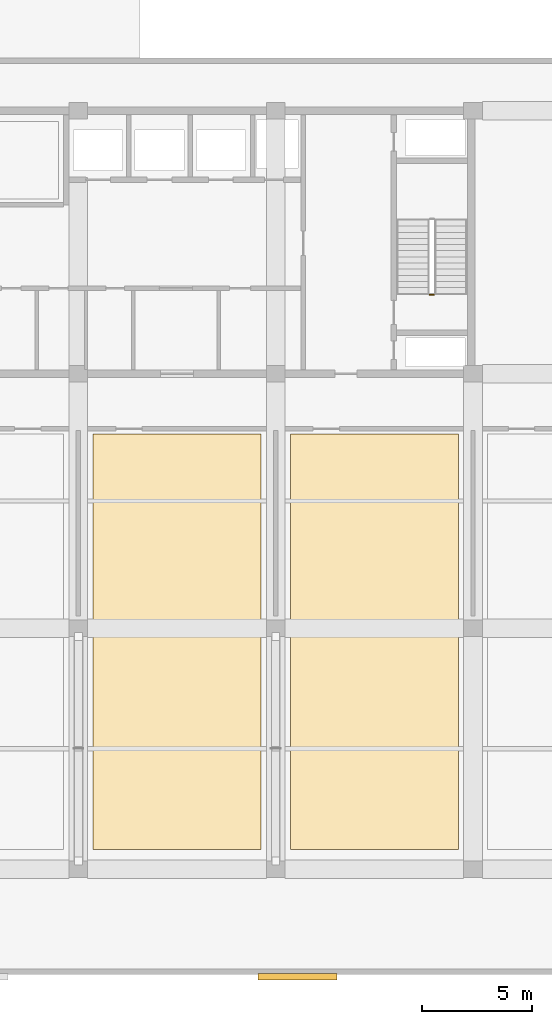
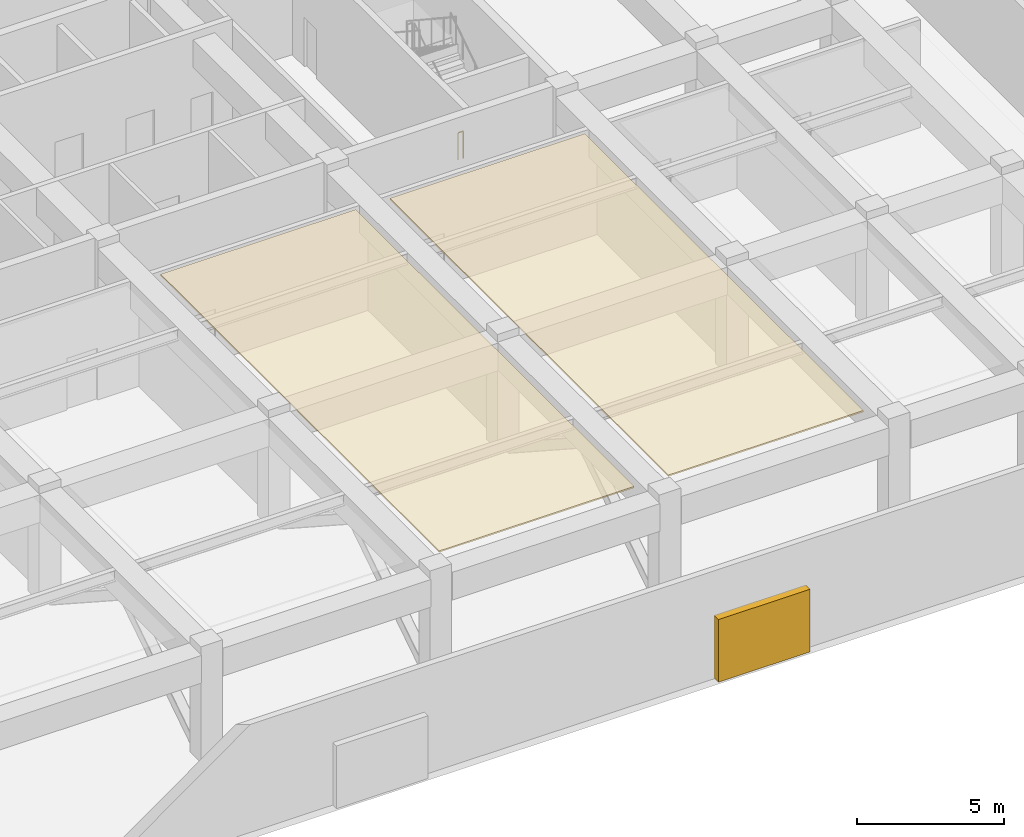
# One storey, part 16 of 22: 2 coverings, 1 railing, 1 shading device.
"""IFC4 building model written with IfcOpenShell, lengths in metres."""

from ifc_helpers import new_model, si_unit, direction, frame, origin, origin_2d, place, context, subcontext, project, spatial, polyline, rectangle, circle, outline, extrude, material, layer, layer_set, type_object, element, save


model = new_model("IFC4")

# Units and contexts
model_context = context("Model", 3, precision=1e-05, world=origin(), true_north=direction((0.0, 1.0)))
body_context = subcontext(model_context, "Body", "Model", "MODEL_VIEW")
ifc_project = project(units=[si_unit("LENGTHUNIT", "METRE"), si_unit("AREAUNIT", "SQUARE_METRE"), si_unit("VOLUMEUNIT", "CUBIC_METRE"), si_unit("PLANEANGLEUNIT", "RADIAN"), si_unit("MASSUNIT", "GRAM", prefix="KILO")], contexts=[model_context])

# Site, building, storey
site_placement = place(None, origin())
site = spatial("IfcSite", under=ifc_project, at=site_placement, CompositionType="ELEMENT")
building_placement = place(site_placement, origin())
building = spatial("IfcBuilding", under=site, at=building_placement, Name="Korimba Cascade Residences", CompositionType="ELEMENT")
storey_placement = place(building_placement, frame((0.0, 0.0, 157.300048828125)))
storey = spatial("IfcBuildingStorey", under=building, at=storey_placement, Name="L45", CompositionType="ELEMENT", Elevation=157.300048828125)

# Coverings
ifc_material_1 = material(Name="Mineral Wool Thermal Acoustic Insulation", Category="insulation")
ifc_layer = layer(ifc_material_1, 0.06005859375)
ifc_layer_set = layer_set([ifc_layer], Name="Mineral Wool Thermal Acoustic Insulation")
covering_type = type_object("IfcCoveringType", Name="COV-INS-60", PredefinedType="INSULATION", material=ifc_layer_set)
covering_1_placement = place(storey_placement, frame((0.0, 0.0, 4.419921875)))
element("IfcCovering", 1, at=covering_1_placement, inside=storey, type_object=covering_type, Name="L45 Mineral Wool Acoustic Soffit Insulation L45-PL24", PredefinedType="INSULATION", context=body_context, shape_type="SweptSolid", body=[
    extrude(outline(polyline([(100.77001953125, -3.300048828125), (108.429931640625, -3.300048828125), (108.429931640625, 15.64990234375), (100.77001953125, 15.64990234375), (100.77001953125, -3.300048828125)])), origin(), (0.0, 0.0, 1.0), 0.06005859375),
])
covering_2_placement = place(storey_placement, frame((0.0, 0.0, 4.419921875)))
element("IfcCovering", 2, at=covering_2_placement, inside=storey, type_object=covering_type, Name="L45 Mineral Wool Acoustic Soffit Insulation L45-PL25", PredefinedType="INSULATION", context=body_context, shape_type="SweptSolid", body=[
    extrude(outline(polyline([(109.77001953125, -3.300048828125), (117.429931640625, -3.300048828125), (117.429931640625, 15.64990234375), (109.77001953125, 15.64990234375), (109.77001953125, -3.300048828125)])), origin(), (0.0, 0.0, 1.0), 0.06005859375),
])

# Railing
ifc_material_2 = material(Name="Painted Steel Stairwell Guardrail", Category="steel")
railing_type = type_object("IfcRailingType", Name="RLG-ST-GD1150", PredefinedType="GUARDRAIL", material=ifc_material_2)
railing_placement = place(storey_placement, frame((116.320068359375, 22.0, 0.0)))
element("IfcRailing", 3, at=railing_placement, inside=storey, type_object=railing_type, Name="L45 ST-E2 stair guard 4", PredefinedType="GUARDRAIL", context=body_context, shape_type="SweptSolid", body=[
    extrude(circle(Radius=0.02392578125, at=origin_2d()), frame((0.0, 0.0, 1.1259765625), z_axis=(-1.0, 0.0, 0.0), x_axis=(0.0, -1.0, 0.0)), (0.0, 0.0, 1.0), 0.199951171875),
    extrude(circle(Radius=0.02099609375, at=origin_2d()), origin(), (0.0, 0.0, 1.0), 1.101806640625),
    extrude(circle(Radius=0.02099609375, at=origin_2d()), frame((-0.199951171875, 0.0, 0.0)), (0.0, 0.0, 1.0), 1.101806640625),
])

# Shading device
ifc_material_3 = material(Name="Powder-Coated Bronze Acoustic Louvre Bank", Category="aluminium")
shading_device_type = type_object("IfcShadingDeviceType", Name="SHD-LVR-300", PredefinedType="USERDEFINED", material=ifc_material_3)
shading_device_placement = place(storey_placement, frame((110.10009765625, -9.10009765625, 0.0), z_axis=(0.0, 0.0, 1.0), x_axis=(1.0, 0.0, 0.0)))
element("IfcShadingDevice", 4, at=shading_device_placement, inside=storey, type_object=shading_device_type, Name="L45 T2 Plant Acoustic Louvre 3", ObjectType="LOUVRE", PredefinedType="USERDEFINED", context=body_context, shape_type="SweptSolid", body=[
    extrude(rectangle(XDim=3.60009765625, YDim=0.300048828125, at=origin_2d()), origin(), (0.0, 0.0, 1.0), 2.60009765625),
])

save(model, "model.ifc")
